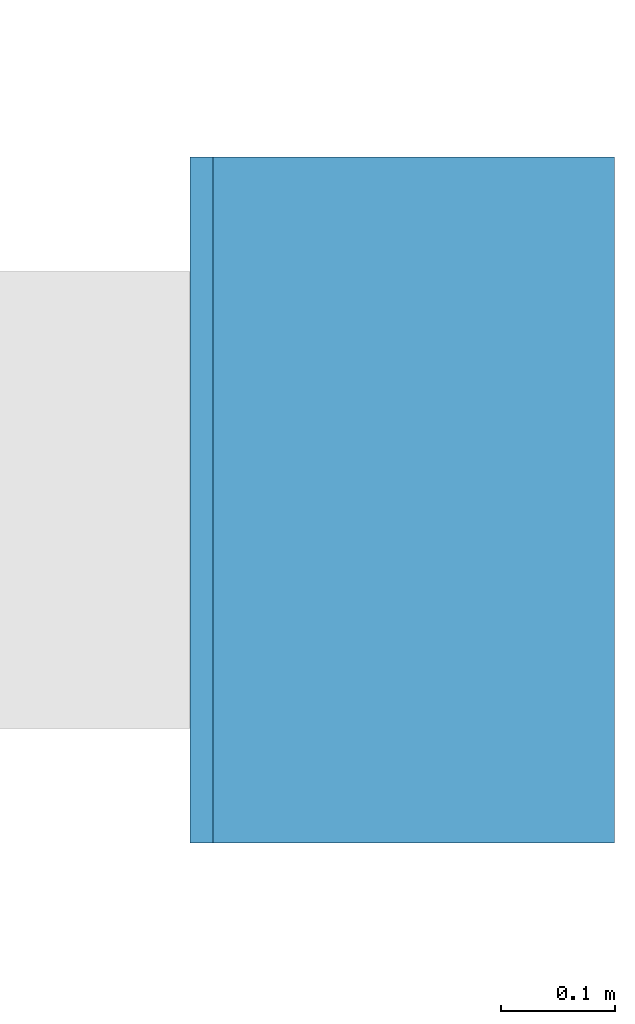
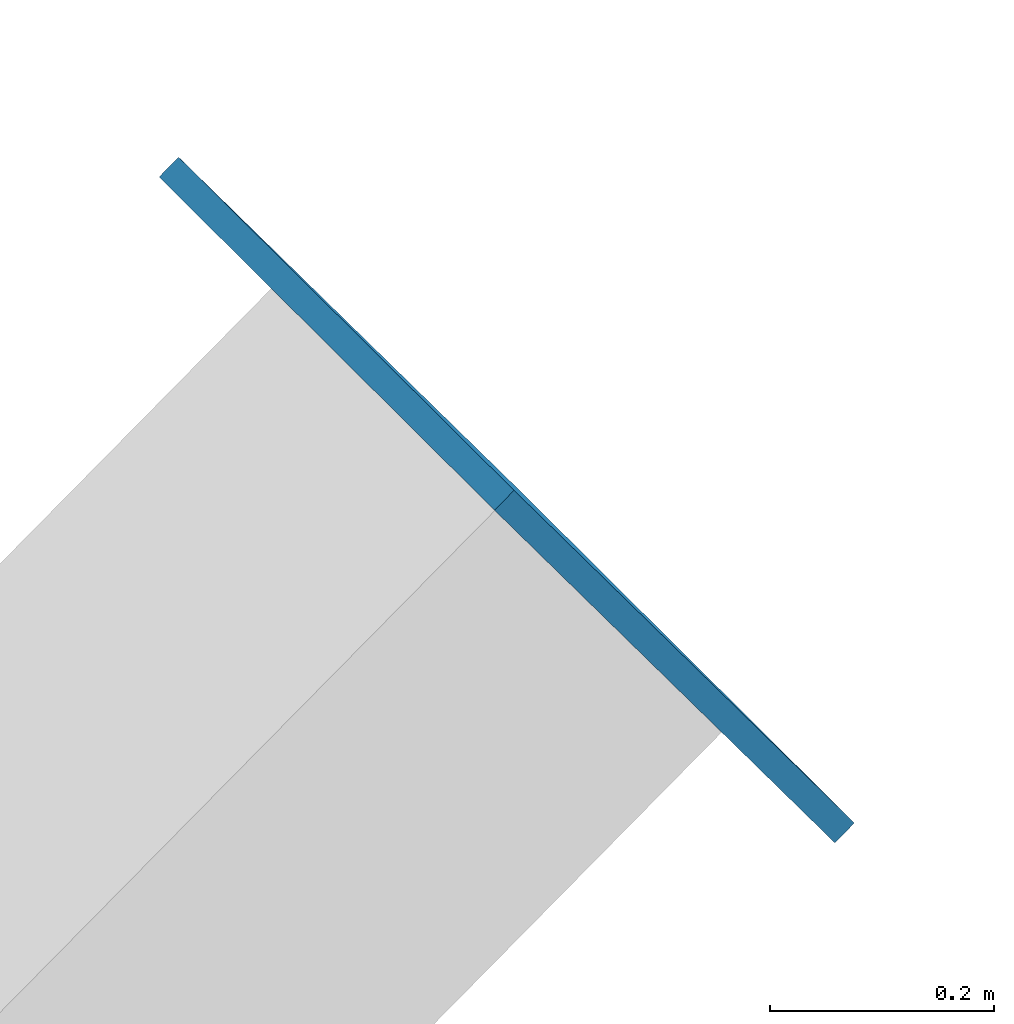
# One storey, part 22 of 24: 1 discrete accessory.
"""IFC4 building model written with IfcOpenShell, lengths in metres."""

from ifc_helpers import new_model, si_unit, direction, frame, origin, origin_2d, place, context, subcontext, project, spatial, rectangle, extrude, element, save


model = new_model("IFC4")

# Units and contexts
model_context = context("Model", 3, precision=1e-05, world=origin(), true_north=direction((0.0, 1.0)))
body_context = subcontext(model_context, "Body", "Model", "MODEL_VIEW")
ifc_project = project(units=[si_unit("LENGTHUNIT", "METRE"), si_unit("AREAUNIT", "SQUARE_METRE"), si_unit("VOLUMEUNIT", "CUBIC_METRE"), si_unit("PLANEANGLEUNIT", "RADIAN"), si_unit("MASSUNIT", "GRAM", prefix="KILO")], contexts=[model_context])

# Site, building, storey
site_placement = place(None, origin())
site = spatial("IfcSite", under=ifc_project, at=site_placement, CompositionType="ELEMENT")
building_placement = place(site_placement, origin())
building = spatial("IfcBuilding", under=site, at=building_placement, Name="Kolab Exchange Tower", CompositionType="ELEMENT")
storey_placement = place(building_placement, frame((0.0, 0.0, 86.89990234375)))
storey = spatial("IfcBuildingStorey", under=building, at=storey_placement, Name="L16", CompositionType="ELEMENT", Elevation=86.89990234375)

# Discrete accessory
discrete_accessory_placement = place(storey_placement, frame((37.135986328125, 0.0, 3.51806640625), z_axis=(0.810421678379, 0.0, 0.585846996419), x_axis=(0.0, 1.0, 0.0)))
element("IfcDiscreteAccessory", 1, at=discrete_accessory_placement, inside=storey, Name="Gusset plate", ObjectType="GUSSET PLATE", PredefinedType="USERDEFINED", context=body_context, shape_type="SweptSolid", body=[
    extrude(rectangle(XDim=0.60009765625, YDim=0.60009765625, at=origin_2d()), origin(), (0.0, 0.0, 1.0), 0.02490234375),
])

save(model, "model.ifc")
